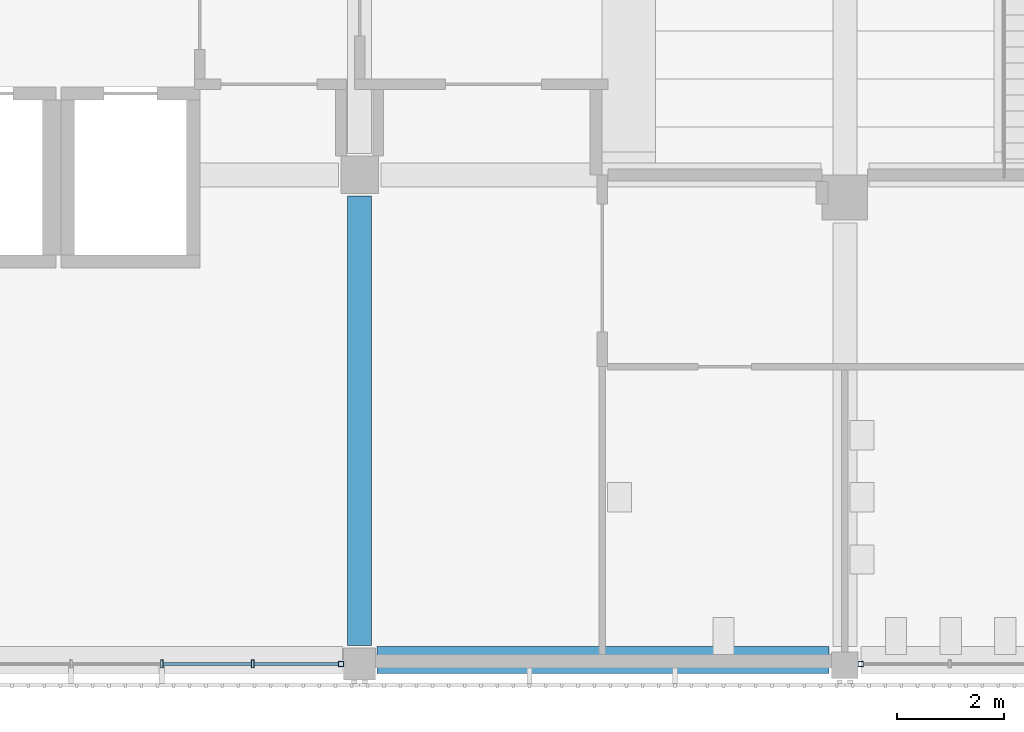
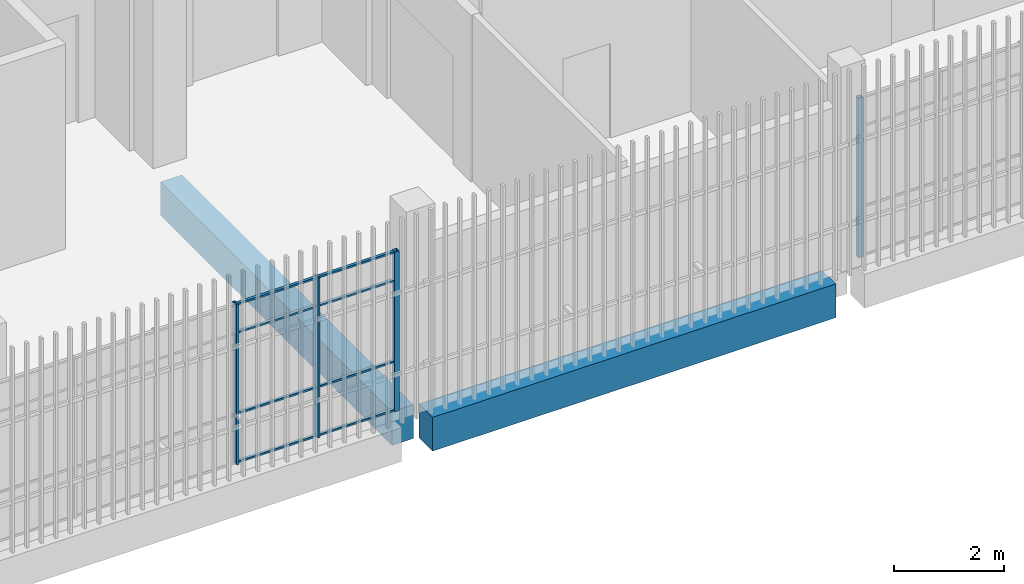
# One storey, part 9 of 139: 12 members, 2 beams, 2 elements without a shape of their own.
"""IFC4 building model written with IfcOpenShell, lengths in metres."""

import ifcopenshell
import ifcopenshell.guid

model = None  # the IFC model being written
_history = None  # IfcOwnerHistory: only IFC2X3 demands one
_inside = {}  # id of a spatial element -> (the spatial element, [elements in it])
_under = {}  # id of a project, library or spatial element -> (it, [spatial elements below it])
_declared = {}  # id of a project -> (the project, [libraries it declares])
_typed = {}  # id of a type object -> (the type object, [elements of that type])
_made_of = {}  # id of a material, layer set ... -> (it, [elements and type objects made of it])


def new_model(schema):
    """Start an empty IFC model of exactly this schema.

    Asked for "IFC4X3", IfcOpenShell would pick the latest addendum, in which some entities
    have other attributes; the version numbers below select the first issue.
    IFC2X3 requires an IfcOwnerHistory on every rooted entity: one is made here for all.
    """
    global model, _history
    if schema == "IFC4X3":
        model = ifcopenshell.file(schema_version=(4, 3, 0, 0))
    else:
        model = ifcopenshell.file(schema=schema)
    _inside.clear()
    _under.clear()
    _declared.clear()
    _typed.clear()
    _made_of.clear()
    _history = None
    if model.schema == "IFC2X3":
        org = make("IfcOrganization", Name="unknown")
        user = make(
            "IfcPersonAndOrganization",
            ThePerson=make("IfcPerson", FamilyName="unknown"),
            TheOrganization=org,
        )
        app = make(
            "IfcApplication",
            ApplicationDeveloper=org,
            Version="unknown",
            ApplicationFullName="unknown",
            ApplicationIdentifier="unknown",
        )
        _history = make(
            "IfcOwnerHistory",
            OwningUser=user,
            OwningApplication=app,
            ChangeAction="ADDED",
            CreationDate=0,
        )
    return model


def make(cls, **values):
    """One entity of the class cls with the attributes given. An attribute that is None is left unset."""
    return model.create_entity(
        cls, **{name: value for name, value in values.items() if value is not None}
    )


def rooted(cls, **values):
    """An entity with a GlobalId (a new one), such as an element, a storey or a relation."""
    return make(cls, GlobalId=ifcopenshell.guid.new(), OwnerHistory=_history, **values)


def si_unit(unit_type, name, prefix=None):
    """IfcSIUnit, for example si_unit("LENGTHUNIT", "METRE", prefix="MILLI")."""
    return make("IfcSIUnit", UnitType=unit_type, Prefix=prefix, Name=name)


def assignment(units):
    """IfcUnitAssignment: the units of a project."""
    return None if units is None else make("IfcUnitAssignment", Units=units)


def point(xyz):
    """IfcCartesianPoint."""
    return None if xyz is None else make("IfcCartesianPoint", Coordinates=xyz)


def direction(xyz):
    """IfcDirection."""
    return None if xyz is None else make("IfcDirection", DirectionRatios=xyz)


def frame(location, z_axis=None, x_axis=None):
    """IfcAxis2Placement3D, a coordinate frame: its origin and axes. An axis left out is left unset."""
    return make(
        "IfcAxis2Placement3D",
        Location=point(location),
        Axis=direction(z_axis),
        RefDirection=direction(x_axis),
    )


def frame_2d(location, x_axis=None):
    """IfcAxis2Placement2D, a coordinate frame in the plane: its origin and x axis."""
    return make(
        "IfcAxis2Placement2D", Location=point(location), RefDirection=direction(x_axis)
    )


def origin():
    """The frame at (0, 0, 0) with its axes left unset."""
    return frame((0.0, 0.0, 0.0))


def origin_2d():
    """The frame at (0, 0) in the plane with its x axis left unset."""
    return frame_2d((0.0, 0.0))


def place(relative_to, where):
    """IfcLocalPlacement: puts the frame where relative to a parent placement (None: the world)."""
    return make(
        "IfcLocalPlacement", PlacementRelTo=relative_to, RelativePlacement=where
    )


def context(
    kind, dimensions, precision=None, world=None, true_north=None, identifier=None
):
    """IfcGeometricRepresentationContext, for example the 3D "Model" context."""
    return make(
        "IfcGeometricRepresentationContext",
        ContextIdentifier=identifier,
        ContextType=kind,
        CoordinateSpaceDimension=dimensions,
        Precision=precision,
        WorldCoordinateSystem=world,
        TrueNorth=true_north,
    )


def subcontext(parent, identifier, kind, view, scale=None):
    """IfcGeometricRepresentationSubContext, for example "Body" below "Model"."""
    return make(
        "IfcGeometricRepresentationSubContext",
        ContextIdentifier=identifier,
        ContextType=kind,
        ParentContext=parent,
        TargetScale=scale,
        TargetView=view,
    )


def project(units=None, contexts=None):
    """IfcProject with its units and contexts."""
    return rooted(
        "IfcProject",
        Name="project",
        RepresentationContexts=contexts,
        UnitsInContext=assignment(units),
    )


def spatial(cls, under=None, at=None, **own):
    """A site, building, storey or space (cls), placed at a placement, below another one or the project."""
    s = rooted(cls, ObjectPlacement=at, **own)
    if under is not None:
        _under.setdefault(under.id(), (under, []))[1].append(s)
    return s


def profile(cls, at=None, kind="AREA", **sizes):
    """A parametric profile (cls). Its sizes go by their IFC names, for example OverallWidth=200.0."""
    return make(cls, ProfileType=kind, Position=at, **sizes)


def rectangle(**sizes):
    """IfcRectangleProfileDef."""
    return profile("IfcRectangleProfileDef", **sizes)


def hollow_rectangle(**sizes):
    """IfcRectangleHollowProfileDef."""
    return profile("IfcRectangleHollowProfileDef", **sizes)


def extrude(swept, where, along, depth):
    """IfcExtrudedAreaSolid: the profile swept, set in the frame where, extruded along a direction by depth."""
    return make(
        "IfcExtrudedAreaSolid",
        SweptArea=swept,
        Position=where,
        ExtrudedDirection=direction(along),
        Depth=depth,
    )


def shape(context_of_items, identifier, shape_type, items):
    """IfcShapeRepresentation: the items that make up one representation, for example the "Body"."""
    return make(
        "IfcShapeRepresentation",
        ContextOfItems=context_of_items,
        RepresentationIdentifier=identifier,
        RepresentationType=shape_type,
        Items=items,
    )


def material(Name=None, Category=None):
    """IfcMaterial."""
    return make("IfcMaterial", Name=Name, Category=Category)


def layer(
    of_material, thickness, ventilated=None, Name=None, Category=None, Priority=None
):
    """IfcMaterialLayer: one layer of a wall or slab, of a material (None: an air gap)."""
    return make(
        "IfcMaterialLayer",
        Material=of_material,
        LayerThickness=thickness,
        IsVentilated=ventilated,
        Name=Name,
        Category=Category,
        Priority=Priority,
    )


def layer_set(layers, Name=None):
    """IfcMaterialLayerSet."""
    return make("IfcMaterialLayerSet", MaterialLayers=layers, LayerSetName=Name)


def material_profile(
    of_material, cross_section, Name=None, Category=None, Priority=None
):
    """IfcMaterialProfile: a cross section and its material."""
    return make(
        "IfcMaterialProfile",
        Name=Name,
        Material=of_material,
        Profile=cross_section,
        Priority=Priority,
        Category=Category,
    )


def profile_set(profiles, Name=None, composite=None):
    """IfcMaterialProfileSet."""
    return make(
        "IfcMaterialProfileSet",
        Name=Name,
        MaterialProfiles=profiles,
        CompositeProfile=composite,
    )


def made_of(thing, what):
    """Note that an element or type object is made of a material, layer set ...; save() writes the relation."""
    if what is not None:
        _made_of.setdefault(what.id(), (what, []))[1].append(thing)
    return thing


def type_object(cls, material=None, **own):
    """A type object (cls), such as IfcWallType, which elements share."""
    return made_of(rooted(cls, **own), material)


def element(
    cls,
    number,
    at=None,
    inside=None,
    cuts=None,
    type_object=None,
    material=None,
    context=None,
    identifier="Body",
    shape_type=None,
    held_by="IfcProductDefinitionShape",
    body=None,
    shapes=None,
    **own,
):
    """One element of the class cls, such as IfcWall. Its Tag is "e" and its number.

    at: its placement. inside: the storey or other place that contains it. cuts: it is an
    opening in that element (IfcRelVoidsElement). A single representation is given by context,
    identifier, shape_type and body (its items); several are given by shapes. held_by: the class
    of the entity that holds the representations. save() writes the other relations.
    """
    e = rooted(cls, Tag="e%d" % number, ObjectPlacement=at, **own)
    if body is not None:
        shapes = [shape(context, identifier, shape_type, body)]
    if shapes is not None:
        e.Representation = make(held_by, Representations=shapes)
    if inside is not None:
        _inside.setdefault(inside.id(), (inside, []))[1].append(e)
    if cuts is not None:
        rooted(
            "IfcRelVoidsElement", RelatingBuildingElement=cuts, RelatedOpeningElement=e
        )
    if type_object is not None:
        _typed.setdefault(type_object.id(), (type_object, []))[1].append(e)
    return made_of(e, material)


def aggregate(whole, parts):
    """IfcRelAggregates: a whole, such as a stair, and the parts it consists of."""
    return rooted("IfcRelAggregates", RelatingObject=whole, RelatedObjects=parts)


def save(model, path):
    """Write the relations noted so far, then the file.

    IfcRelAggregates (storeys below a building ...), IfcRelContainedInSpatialStructure (elements
    in a storey), IfcRelDefinesByType, IfcRelAssociatesMaterial and IfcRelDeclares: one each for
    every whole, place, type object, material and project.
    """
    for whole, parts in _under.values():
        aggregate(whole, parts)
    for where, things in _inside.values():
        rooted(
            "IfcRelContainedInSpatialStructure",
            RelatedElements=things,
            RelatingStructure=where,
        )
    for kind, things in _typed.values():
        rooted("IfcRelDefinesByType", RelatedObjects=things, RelatingType=kind)
    for what, things in _made_of.values():
        rooted("IfcRelAssociatesMaterial", RelatedObjects=things, RelatingMaterial=what)
    for by, libraries in _declared.values():
        rooted("IfcRelDeclares", RelatingContext=by, RelatedDefinitions=libraries)
    model.write(path)


model = new_model("IFC4")

# Units and contexts
model_context = context("Model", 3, precision=1e-05, world=origin(), true_north=direction((0.0, 1.0)))
body_context = subcontext(model_context, "Body", "Model", "MODEL_VIEW")
ifc_project = project(units=[si_unit("LENGTHUNIT", "METRE"), si_unit("AREAUNIT", "SQUARE_METRE"), si_unit("VOLUMEUNIT", "CUBIC_METRE"), si_unit("PLANEANGLEUNIT", "RADIAN"), si_unit("MASSUNIT", "GRAM", prefix="KILO")], contexts=[model_context])

# Site, building, storey
site_placement = place(None, origin())
site = spatial("IfcSite", under=ifc_project, at=site_placement, CompositionType="ELEMENT")
building_placement = place(site_placement, origin())
building = spatial("IfcBuilding", under=site, at=building_placement, Name="Shirokan Park Arena", CompositionType="ELEMENT")
storey_placement = place(building_placement, frame((0.0, 0.0, 15.469970703125)))
storey = spatial("IfcBuildingStorey", under=building, at=storey_placement, Name="L03", CompositionType="ELEMENT", Elevation=15.469970703125)

# Curtain wall, member
ifc_material_1 = material(Name="Steel and glass curtain wall", Category="steel")
ifc_layer = layer(ifc_material_1, 0.14990234375)
ifc_layer_set = layer_set([ifc_layer], Name="Steel and glass curtain wall 150 mm")
curtain_wall_type = type_object("IfcCurtainWallType", Name="Curtain wall exposed bay 150", PredefinedType="NOTDEFINED", material=ifc_layer_set)
curtain_wall_1_placement = place(storey_placement, origin())
curtain_wall_1 = element("IfcCurtainWall", 1, at=curtain_wall_1_placement, inside=storey, type_object=curtain_wall_type, Name="Curtain wall south bay 4 L03", PredefinedType="NOTDEFINED")
ifc_material_2 = material(Name="Steel S355", Category="steel")
ifc_material_profile_1 = material_profile(ifc_material_2, hollow_rectangle(XDim=0.10009765625, YDim=0.10009765625, WallThickness=0.006103515625, at=origin_2d()), Name="RHS 100x100x6")
ifc_profile_set_1 = profile_set([ifc_material_profile_1], Name="Steel S355")
member_type_1 = type_object("IfcMemberType", Name="Mullion RHS 100x100x6", PredefinedType="MULLION", material=ifc_profile_set_1)
member_1_placement = place(storey_placement, frame((36.050048828125, -0.074951171875, 0.0), z_axis=(0.0, 0.0, 1.0), x_axis=(0.0, 1.0, 0.0)))
member_1 = element("IfcMember", 2, at=member_1_placement, type_object=member_type_1, Name="CW1 mullion 6", PredefinedType="MULLION", context=body_context, shape_type="SweptSolid", body=[
    extrude(hollow_rectangle(XDim=0.10009765625, YDim=0.10009765625, WallThickness=0.006103515625, at=origin_2d()), origin(), (0.0, 0.0, 1.0), 3.550048828125),
])

curtain_wall_2_placement = place(storey_placement, origin())
curtain_wall_2 = element("IfcCurtainWall", 3, at=curtain_wall_2_placement, inside=storey, type_object=curtain_wall_type, Name="Curtain wall south bay 6 L03", PredefinedType="NOTDEFINED")
member_2_placement = place(storey_placement, frame((45.800048828125, -0.074951171875, 0.0), z_axis=(0.0, 0.0, 1.0), x_axis=(0.0, 1.0, 0.0)))
member_2 = element("IfcMember", 4, at=member_2_placement, type_object=member_type_1, Name="CW1 mullion 1", PredefinedType="MULLION", context=body_context, shape_type="SweptSolid", body=[
    extrude(hollow_rectangle(XDim=0.10009765625, YDim=0.10009765625, WallThickness=0.006103515625, at=origin_2d()), origin(), (0.0, 0.0, 1.0), 3.550048828125),
])
aggregate(curtain_wall_2, [member_2])

# Member
ifc_material_profile_2 = material_profile(ifc_material_2, hollow_rectangle(XDim=0.14990234375, YDim=0.050048828125, WallThickness=0.006103515625, at=origin_2d()), Name="RHS 150x50x6")
ifc_profile_set_2 = profile_set([ifc_material_profile_2], Name="Steel S355")
member_type_2 = type_object("IfcMemberType", Name="Mullion RHS 150x50x6", PredefinedType="MULLION", material=ifc_profile_set_2)
member_3_placement = place(storey_placement, frame((32.68994140625, -0.074951171875, 0.0), z_axis=(0.0, 0.0, 1.0), x_axis=(0.0, 1.0, 0.0)))
member_3 = element("IfcMember", 5, at=member_3_placement, type_object=member_type_2, Name="CW1 mullion 4", PredefinedType="MULLION", context=body_context, shape_type="SweptSolid", body=[
    extrude(hollow_rectangle(XDim=0.14990234375, YDim=0.050048828125, WallThickness=0.006103515625, at=origin_2d()), origin(), (0.0, 0.0, 1.0), 3.550048828125),
])

member_4_placement = place(storey_placement, frame((34.39501953125, -0.074951171875, 0.0), z_axis=(0.0, 0.0, 1.0), x_axis=(0.0, 1.0, 0.0)))
member_4 = element("IfcMember", 6, at=member_4_placement, type_object=member_type_2, Name="CW1 mullion 5", PredefinedType="MULLION", context=body_context, shape_type="SweptSolid", body=[
    extrude(hollow_rectangle(XDim=0.14990234375, YDim=0.050048828125, WallThickness=0.006103515625, at=origin_2d()), origin(), (0.0, 0.0, 1.0), 3.550048828125),
])

# Beams
ifc_material_3 = material(Name="Concrete C35", Category="concrete")
ifc_material_profile_3 = material_profile(ifc_material_3, rectangle(XDim=0.449951171875, YDim=0.75, at=origin_2d()), Name="450x750")
ifc_profile_set_3 = profile_set([ifc_material_profile_3], Name="Concrete C35")
beam_type_1 = type_object("IfcBeamType", Name="RC girder 450x750", PredefinedType="BEAM", material=ifc_profile_set_3)
beam_1_placement = place(storey_placement, frame((36.39990234375, 0.275146484375, -0.675048828125), z_axis=(0.0, 1.0, 0.0), x_axis=(-1.0, 0.0, 0.0)))
element("IfcBeam", 7, at=beam_1_placement, inside=storey, type_object=beam_type_1, Name="Girder 5A-5B L03", PredefinedType="BEAM", context=body_context, shape_type="SweptSolid", body=[
    extrude(rectangle(XDim=0.449951171875, YDim=0.75, at=origin_2d()), origin(), (0.0, 0.0, 1.0), 8.4248046875),
])
ifc_material_profile_4 = material_profile(ifc_material_3, rectangle(XDim=0.5, YDim=0.75, at=origin_2d()), Name="500x750")
ifc_profile_set_4 = profile_set([ifc_material_profile_4], Name="Concrete C35")
beam_type_2 = type_object("IfcBeamType", Name="RC girder 500x750", PredefinedType="BEAM", material=ifc_profile_set_4)
beam_2_placement = place(storey_placement, frame((36.72509765625, 0.0, -0.675048828125), z_axis=(1.0, 0.0, 0.0), x_axis=(0.0, 1.0, 0.0)))
element("IfcBeam", 8, at=beam_2_placement, inside=storey, type_object=beam_type_2, Name="Girder 5A-6A L03", PredefinedType="BEAM", context=body_context, shape_type="SweptSolid", body=[
    extrude(rectangle(XDim=0.5, YDim=0.75, at=origin_2d()), origin(), (0.0, 0.0, 1.0), 8.474853515625),
])

# Member
ifc_material_profile_5 = material_profile(ifc_material_2, hollow_rectangle(XDim=0.06005859375, YDim=0.0400390625, WallThickness=0.00390625, at=origin_2d()), Name="RHS 60x40x4")
ifc_profile_set_5 = profile_set([ifc_material_profile_5], Name="Steel S355")
member_type_3 = type_object("IfcMemberType", Name="Transom RHS 60x40x4", PredefinedType="MULLION", material=ifc_profile_set_5)
member_5_placement = place(storey_placement, frame((32.715087890625, -0.074951171875, 0.02001953125), z_axis=(1.0, 0.0, 0.0), x_axis=(0.0, 1.0, 0.0)))
member_5 = element("IfcMember", 9, at=member_5_placement, type_object=member_type_3, Name="CW1 transom 4.1", PredefinedType="MULLION", context=body_context, shape_type="SweptSolid", body=[
    extrude(hollow_rectangle(XDim=0.06005859375, YDim=0.0400390625, WallThickness=0.00390625, at=origin_2d()), origin(), (0.0, 0.0, 1.0), 1.655029296875),
])

member_6_placement = place(storey_placement, frame((32.715087890625, -0.074951171875, 1.10009765625), z_axis=(1.0, 0.0, 0.0), x_axis=(0.0, 1.0, 0.0)))
member_6 = element("IfcMember", 10, at=member_6_placement, type_object=member_type_3, Name="CW1 transom 4.2", PredefinedType="MULLION", context=body_context, shape_type="SweptSolid", body=[
    extrude(hollow_rectangle(XDim=0.06005859375, YDim=0.0400390625, WallThickness=0.00390625, at=origin_2d()), origin(), (0.0, 0.0, 1.0), 1.655029296875),
])

member_7_placement = place(storey_placement, frame((32.715087890625, -0.074951171875, 2.900146484375), z_axis=(1.0, 0.0, 0.0), x_axis=(0.0, 1.0, 0.0)))
member_7 = element("IfcMember", 11, at=member_7_placement, type_object=member_type_3, Name="CW1 transom 4.3", PredefinedType="MULLION", context=body_context, shape_type="SweptSolid", body=[
    extrude(hollow_rectangle(XDim=0.06005859375, YDim=0.0400390625, WallThickness=0.00390625, at=origin_2d()), origin(), (0.0, 0.0, 1.0), 1.655029296875),
])

member_8_placement = place(storey_placement, frame((32.715087890625, -0.074951171875, 3.530029296875), z_axis=(1.0, 0.0, 0.0), x_axis=(0.0, 1.0, 0.0)))
member_8 = element("IfcMember", 12, at=member_8_placement, type_object=member_type_3, Name="CW1 transom 4.4", PredefinedType="MULLION", context=body_context, shape_type="SweptSolid", body=[
    extrude(hollow_rectangle(XDim=0.06005859375, YDim=0.0400390625, WallThickness=0.00390625, at=origin_2d()), origin(), (0.0, 0.0, 1.0), 1.655029296875),
])

member_9_placement = place(storey_placement, frame((34.419921875, -0.074951171875, 0.02001953125), z_axis=(1.0, 0.0, 0.0), x_axis=(0.0, 1.0, 0.0)))
member_9 = element("IfcMember", 13, at=member_9_placement, type_object=member_type_3, Name="CW1 transom 5.1", PredefinedType="MULLION", context=body_context, shape_type="SweptSolid", body=[
    extrude(hollow_rectangle(XDim=0.06005859375, YDim=0.0400390625, WallThickness=0.00390625, at=origin_2d()), origin(), (0.0, 0.0, 1.0), 1.580078125),
])

member_10_placement = place(storey_placement, frame((34.419921875, -0.074951171875, 1.10009765625), z_axis=(1.0, 0.0, 0.0), x_axis=(0.0, 1.0, 0.0)))
member_10 = element("IfcMember", 14, at=member_10_placement, type_object=member_type_3, Name="CW1 transom 5.2", PredefinedType="MULLION", context=body_context, shape_type="SweptSolid", body=[
    extrude(hollow_rectangle(XDim=0.06005859375, YDim=0.0400390625, WallThickness=0.00390625, at=origin_2d()), origin(), (0.0, 0.0, 1.0), 1.580078125),
])

member_11_placement = place(storey_placement, frame((34.419921875, -0.074951171875, 2.900146484375), z_axis=(1.0, 0.0, 0.0), x_axis=(0.0, 1.0, 0.0)))
member_11 = element("IfcMember", 15, at=member_11_placement, type_object=member_type_3, Name="CW1 transom 5.3", PredefinedType="MULLION", context=body_context, shape_type="SweptSolid", body=[
    extrude(hollow_rectangle(XDim=0.06005859375, YDim=0.0400390625, WallThickness=0.00390625, at=origin_2d()), origin(), (0.0, 0.0, 1.0), 1.580078125),
])

member_12_placement = place(storey_placement, frame((34.419921875, -0.074951171875, 3.530029296875), z_axis=(1.0, 0.0, 0.0), x_axis=(0.0, 1.0, 0.0)))
member_12 = element("IfcMember", 16, at=member_12_placement, type_object=member_type_3, Name="CW1 transom 5.4", PredefinedType="MULLION", context=body_context, shape_type="SweptSolid", body=[
    extrude(hollow_rectangle(XDim=0.06005859375, YDim=0.0400390625, WallThickness=0.00390625, at=origin_2d()), origin(), (0.0, 0.0, 1.0), 1.580078125),
])

aggregate(curtain_wall_1, [member_3, member_4, member_1, member_5, member_6, member_7, member_8, member_9, member_10, member_11, member_12])

save(model, "model.ifc")
